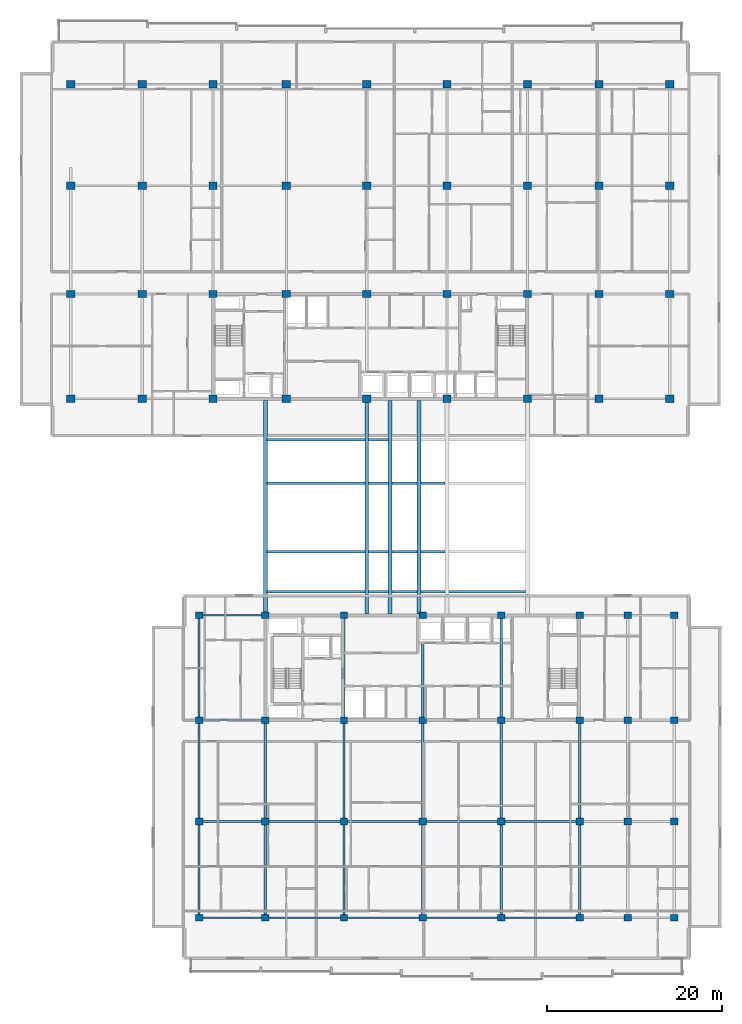
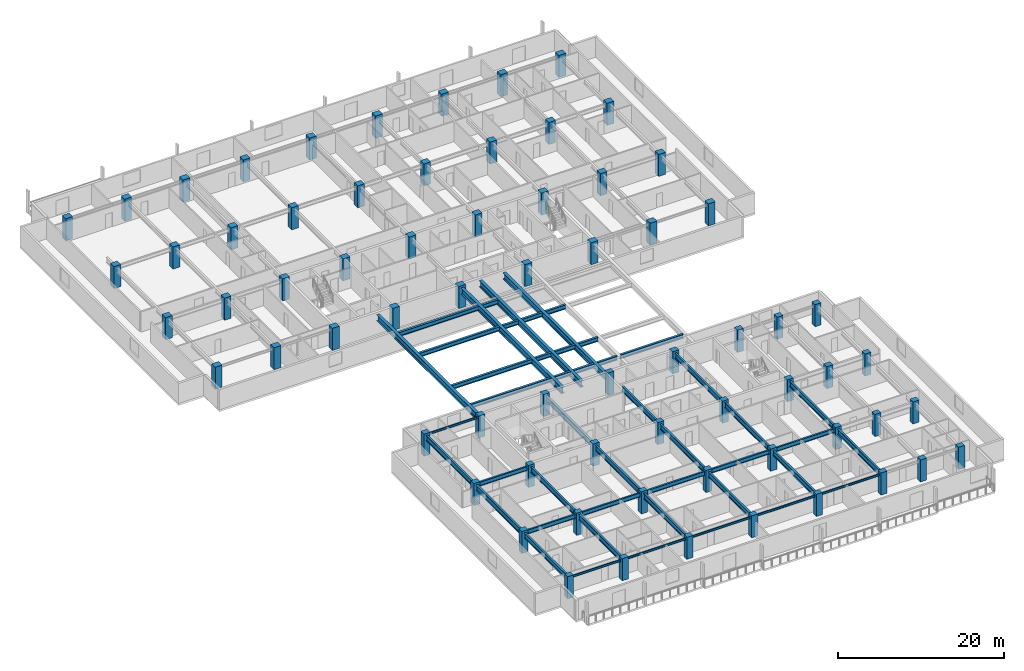
# One storey, part 1 of 21: 68 columns, 47 beams.
"""IFC4 building model written with IfcOpenShell, lengths in metres."""

from ifc_helpers import new_model, si_unit, direction, frame, origin, origin_2d, place, context, subcontext, project, spatial, rectangle, i_section, extrude, material, material_profile, profile_set, type_object, element, save


model = new_model("IFC4")

# Units and contexts
model_context = context("Model", 3, precision=1e-05, world=origin(), true_north=direction((0.0, 1.0)))
body_context = subcontext(model_context, "Body", "Model", "MODEL_VIEW")
ifc_project = project(units=[si_unit("LENGTHUNIT", "METRE"), si_unit("AREAUNIT", "SQUARE_METRE"), si_unit("VOLUMEUNIT", "CUBIC_METRE"), si_unit("PLANEANGLEUNIT", "RADIAN"), si_unit("MASSUNIT", "GRAM", prefix="KILO")], contexts=[model_context])

# Site, building, storey
site_placement = place(None, origin())
site = spatial("IfcSite", under=ifc_project, at=site_placement, CompositionType="ELEMENT")
building_placement = place(site_placement, origin())
building = spatial("IfcBuilding", under=site, at=building_placement, Name="Korimba Cascade Residences", CompositionType="ELEMENT")
storey_placement = place(building_placement, frame((0.0, 0.0, 136.050048828125)))
storey = spatial("IfcBuildingStorey", under=building, at=storey_placement, Name="L39", CompositionType="ELEMENT", Elevation=136.050048828125)

# Columns
ifc_material_1 = material(Name="Concrete C65/80", Category="concrete")
ifc_material_profile_1 = material_profile(ifc_material_1, rectangle(XDim=0.85009765625, YDim=0.75, at=origin_2d()), Name="Concrete C65/80")
ifc_profile_set_1 = profile_set([ifc_material_profile_1], Name="Concrete C65/80")
column_type_1 = type_object("IfcColumnType", Name="COL-RC-850", PredefinedType="COLUMN", material=ifc_profile_set_1)
for number, where, z_axis, x_axis, name in (
    (1, (74.5, -4.199951171875, 0.0), (0.0, 0.0, 1.0), (1.0, 0.0, 0.0), "L39 Tower 2 Column 1.1"),
    (2, (74.5, 6.800048828125, 0.0), (0.0, 0.0, 1.0), (1.0, 0.0, 0.0), "L39 Tower 2 Column 1.2"),
    (3, (74.5, 18.39990234375, 0.0), (0.0, 0.0, 1.0), (1.0, 0.0, 0.0), "L39 Tower 2 Column 1.3"),
    (4, (74.5, 30.39990234375, 0.0), (0.0, 0.0, 1.0), (1.0, 0.0, 0.0), "L39 Tower 2 Column 1.4"),
    (5, (82.10009765625, -4.199951171875, 0.0), (0.0, 0.0, 1.0), (1.0, 0.0, 0.0), "L39 Tower 2 Column 2.1"),
    (6, (82.10009765625, 6.800048828125, 0.0), (0.0, 0.0, 1.0), (1.0, 0.0, 0.0), "L39 Tower 2 Column 2.2"),
    (7, (82.10009765625, 18.39990234375, 0.0), (0.0, 0.0, 1.0), (1.0, 0.0, 0.0), "L39 Tower 2 Column 2.3"),
    (8, (82.10009765625, 30.39990234375, 0.0), (0.0, 0.0, 1.0), (1.0, 0.0, 0.0), "L39 Tower 2 Column 2.4"),
    (9, (91.10009765625, -4.199951171875, 0.0), (0.0, 0.0, 1.0), (1.0, 0.0, 0.0), "L39 Tower 2 Column 3.1"),
    (10, (91.10009765625, 6.800048828125, 0.0), (0.0, 0.0, 1.0), (1.0, 0.0, 0.0), "L39 Tower 2 Column 3.2"),
    (11, (91.10009765625, 18.39990234375, 0.0), (0.0, 0.0, 1.0), (1.0, 0.0, 0.0), "L39 Tower 2 Column 3.3"),
    (12, (91.10009765625, 30.39990234375, 0.0), (0.0, 0.0, 1.0), (1.0, 0.0, 0.0), "L39 Tower 2 Column 3.4"),
    (13, (100.10009765625, -4.199951171875, 0.0), (0.0, 0.0, 1.0), (1.0, 0.0, 0.0), "L39 Tower 2 Column 4.1"),
    (14, (100.10009765625, 6.800048828125, 0.0), (0.0, 0.0, 1.0), (1.0, 0.0, 0.0), "L39 Tower 2 Column 4.2"),
    (15, (100.10009765625, 18.39990234375, 0.0), (0.0, 0.0, 1.0), (1.0, 0.0, 0.0), "L39 Tower 2 Column 4.3"),
    (16, (100.10009765625, 30.39990234375, 0.0), (0.0, 0.0, 1.0), (1.0, 0.0, 0.0), "L39 Tower 2 Column 4.4"),
    (17, (109.10009765625, -4.199951171875, 0.0), (0.0, 0.0, 1.0), (1.0, 0.0, 0.0), "L39 Tower 2 Column 5.1"),
    (18, (109.10009765625, 6.800048828125, 0.0), (0.0, 0.0, 1.0), (1.0, 0.0, 0.0), "L39 Tower 2 Column 5.2"),
    (19, (109.10009765625, 18.39990234375, 0.0), (0.0, 0.0, 1.0), (1.0, 0.0, 0.0), "L39 Tower 2 Column 5.3"),
    (20, (109.10009765625, 30.39990234375, 0.0), (0.0, 0.0, 1.0), (1.0, 0.0, 0.0), "L39 Tower 2 Column 5.4"),
    (21, (118.10009765625, -4.199951171875, 0.0), (0.0, 0.0, 1.0), (1.0, 0.0, 0.0), "L39 Tower 2 Column 6.1"),
    (22, (118.10009765625, 6.800048828125, 0.0), (0.0, 0.0, 1.0), (1.0, 0.0, 0.0), "L39 Tower 2 Column 6.2"),
    (23, (118.10009765625, 18.39990234375, 0.0), (0.0, 0.0, 1.0), (1.0, 0.0, 0.0), "L39 Tower 2 Column 6.3"),
    (24, (118.10009765625, 30.39990234375, 0.0), (0.0, 0.0, 1.0), (1.0, 0.0, 0.0), "L39 Tower 2 Column 6.4"),
    (25, (123.60009765625, -4.199951171875, 0.0), (0.0, 0.0, 1.0), (1.0, 0.0, 0.0), "L39 Tower 2 Column 7.1"),
    (26, (123.60009765625, 6.800048828125, 0.0), (0.0, 0.0, 1.0), (1.0, 0.0, 0.0), "L39 Tower 2 Column 7.2"),
    (27, (123.60009765625, 18.39990234375, 0.0), (0.0, 0.0, 1.0), (1.0, 0.0, 0.0), "L39 Tower 2 Column 7.3"),
    (28, (123.60009765625, 30.39990234375, 0.0), (0.0, 0.0, 1.0), (1.0, 0.0, 0.0), "L39 Tower 2 Column 7.4"),
    (29, (128.89990234375, -4.199951171875, 0.0), (0.0, 0.0, 1.0), (1.0, 0.0, 0.0), "L39 Tower 2 Column 8.1"),
    (30, (128.89990234375, 6.800048828125, 0.0), (0.0, 0.0, 1.0), (1.0, 0.0, 0.0), "L39 Tower 2 Column 8.2"),
    (31, (128.89990234375, 18.39990234375, 0.0), (0.0, 0.0, 1.0), (1.0, 0.0, 0.0), "L39 Tower 2 Column 8.3"),
    (32, (128.89990234375, 30.39990234375, 0.0), (0.0, 0.0, 1.0), (1.0, 0.0, 0.0), "L39 Tower 2 Column 8.4"),
):
    element("IfcColumn", number, at=place(storey_placement, frame(where, z_axis=z_axis, x_axis=x_axis)), inside=storey, type_object=column_type_1, Name=name, PredefinedType="COLUMN", context=body_context, shape_type="SweptSolid", body=[
        extrude(rectangle(XDim=0.85009765625, YDim=0.75, at=origin_2d()), origin(), (0.0, 0.0, 1.0), 3.25),
    ])
ifc_material_profile_2 = material_profile(ifc_material_1, rectangle(XDim=0.949951171875, YDim=0.85009765625, at=origin_2d()), Name="Concrete C65/80")
ifc_profile_set_2 = profile_set([ifc_material_profile_2], Name="Concrete C65/80")
column_type_2 = type_object("IfcColumnType", Name="COL-RC-950", PredefinedType="COLUMN", material=ifc_profile_set_2)
for number, where, z_axis, x_axis, name in (
    (33, (59.800048828125, 55.199951171875, 0.0), (0.0, 0.0, 1.0), (1.0, 0.0, 0.0), "L39 Tower 1 Column 1.1"),
    (34, (59.800048828125, 67.199951171875, 0.0), (0.0, 0.0, 1.0), (1.0, 0.0, 0.0), "L39 Tower 1 Column 1.2"),
    (35, (59.800048828125, 79.60009765625, 0.0), (0.0, 0.0, 1.0), (1.0, 0.0, 0.0), "L39 Tower 1 Column 1.3"),
    (36, (59.800048828125, 91.199951171875, 0.0), (0.0, 0.0, 1.0), (1.0, 0.0, 0.0), "L39 Tower 1 Column 1.4"),
    (37, (68.0, 55.199951171875, 0.0), (0.0, 0.0, 1.0), (1.0, 0.0, 0.0), "L39 Tower 1 Column 2.1"),
    (38, (68.0, 67.199951171875, 0.0), (0.0, 0.0, 1.0), (1.0, 0.0, 0.0), "L39 Tower 1 Column 2.2"),
    (39, (68.0, 79.60009765625, 0.0), (0.0, 0.0, 1.0), (1.0, 0.0, 0.0), "L39 Tower 1 Column 2.3"),
    (40, (68.0, 91.199951171875, 0.0), (0.0, 0.0, 1.0), (1.0, 0.0, 0.0), "L39 Tower 1 Column 2.4"),
    (41, (76.10009765625, 55.199951171875, 0.0), (0.0, 0.0, 1.0), (1.0, 0.0, 0.0), "L39 Tower 1 Column 3.1"),
    (42, (76.10009765625, 67.199951171875, 0.0), (0.0, 0.0, 1.0), (1.0, 0.0, 0.0), "L39 Tower 1 Column 3.2"),
    (43, (76.10009765625, 79.60009765625, 0.0), (0.0, 0.0, 1.0), (1.0, 0.0, 0.0), "L39 Tower 1 Column 3.3"),
    (44, (76.10009765625, 91.199951171875, 0.0), (0.0, 0.0, 1.0), (1.0, 0.0, 0.0), "L39 Tower 1 Column 3.4"),
    (45, (84.5, 55.199951171875, 0.0), (0.0, 0.0, 1.0), (1.0, 0.0, 0.0), "L39 Tower 1 Column 4.1"),
    (46, (84.5, 67.199951171875, 0.0), (0.0, 0.0, 1.0), (1.0, 0.0, 0.0), "L39 Tower 1 Column 4.2"),
    (47, (84.5, 79.60009765625, 0.0), (0.0, 0.0, 1.0), (1.0, 0.0, 0.0), "L39 Tower 1 Column 4.3"),
    (48, (84.5, 91.199951171875, 0.0), (0.0, 0.0, 1.0), (1.0, 0.0, 0.0), "L39 Tower 1 Column 4.4"),
    (49, (93.699951171875, 55.199951171875, 0.0), (0.0, 0.0, 1.0), (1.0, 0.0, 0.0), "L39 Tower 1 Column 5.1"),
    (50, (93.699951171875, 67.199951171875, 0.0), (0.0, 0.0, 1.0), (1.0, 0.0, 0.0), "L39 Tower 1 Column 5.2"),
    (51, (93.699951171875, 79.60009765625, 0.0), (0.0, 0.0, 1.0), (1.0, 0.0, 0.0), "L39 Tower 1 Column 5.3"),
    (52, (93.699951171875, 91.199951171875, 0.0), (0.0, 0.0, 1.0), (1.0, 0.0, 0.0), "L39 Tower 1 Column 5.4"),
    (53, (102.89990234375, 55.199951171875, 0.0), (0.0, 0.0, 1.0), (1.0, 0.0, 0.0), "L39 Tower 1 Column 6.1"),
    (54, (102.89990234375, 67.199951171875, 0.0), (0.0, 0.0, 1.0), (1.0, 0.0, 0.0), "L39 Tower 1 Column 6.2"),
    (55, (102.89990234375, 79.60009765625, 0.0), (0.0, 0.0, 1.0), (1.0, 0.0, 0.0), "L39 Tower 1 Column 6.3"),
    (56, (102.89990234375, 91.199951171875, 0.0), (0.0, 0.0, 1.0), (1.0, 0.0, 0.0), "L39 Tower 1 Column 6.4"),
    (57, (112.10009765625, 55.199951171875, 0.0), (0.0, 0.0, 1.0), (1.0, 0.0, 0.0), "L39 Tower 1 Column 7.1"),
    (58, (112.10009765625, 67.199951171875, 0.0), (0.0, 0.0, 1.0), (1.0, 0.0, 0.0), "L39 Tower 1 Column 7.2"),
    (59, (112.10009765625, 79.60009765625, 0.0), (0.0, 0.0, 1.0), (1.0, 0.0, 0.0), "L39 Tower 1 Column 7.3"),
    (60, (112.10009765625, 91.199951171875, 0.0), (0.0, 0.0, 1.0), (1.0, 0.0, 0.0), "L39 Tower 1 Column 7.4"),
    (61, (120.300048828125, 55.199951171875, 0.0), (0.0, 0.0, 1.0), (1.0, 0.0, 0.0), "L39 Tower 1 Column 8.1"),
    (62, (120.300048828125, 67.199951171875, 0.0), (0.0, 0.0, 1.0), (1.0, 0.0, 0.0), "L39 Tower 1 Column 8.2"),
    (63, (120.300048828125, 79.60009765625, 0.0), (0.0, 0.0, 1.0), (1.0, 0.0, 0.0), "L39 Tower 1 Column 8.3"),
    (64, (120.300048828125, 91.199951171875, 0.0), (0.0, 0.0, 1.0), (1.0, 0.0, 0.0), "L39 Tower 1 Column 8.4"),
    (65, (128.39990234375, 55.199951171875, 0.0), (0.0, 0.0, 1.0), (1.0, 0.0, 0.0), "L39 Tower 1 Column 9.1"),
    (66, (128.39990234375, 67.199951171875, 0.0), (0.0, 0.0, 1.0), (1.0, 0.0, 0.0), "L39 Tower 1 Column 9.2"),
    (67, (128.39990234375, 79.60009765625, 0.0), (0.0, 0.0, 1.0), (1.0, 0.0, 0.0), "L39 Tower 1 Column 9.3"),
    (68, (128.39990234375, 91.199951171875, 0.0), (0.0, 0.0, 1.0), (1.0, 0.0, 0.0), "L39 Tower 1 Column 9.4"),
):
    element("IfcColumn", number, at=place(storey_placement, frame(where, z_axis=z_axis, x_axis=x_axis)), inside=storey, type_object=column_type_2, Name=name, PredefinedType="COLUMN", context=body_context, shape_type="SweptSolid", body=[
        extrude(rectangle(XDim=0.949951171875, YDim=0.85009765625, at=origin_2d()), origin(), (0.0, 0.0, 1.0), 3.25),
    ])

# Beams
ifc_material_2 = material(Name="Steel S355", Category="steel")
ifc_material_profile_3 = material_profile(ifc_material_2, i_section(OverallWidth=0.165771484375, OverallDepth=0.306640625, WebThickness=0.006591796875, FlangeThickness=0.01171875, FilletRadius=0.0087890625, at=origin_2d()), Name="Steel S355")
ifc_profile_set_3 = profile_set([ifc_material_profile_3], Name="Steel S355")
beam_type_1 = type_object("IfcBeamType", Name="BM-STL-UB305", PredefinedType="SPANDREL", material=ifc_profile_set_3)
beam_1_placement = place(storey_placement, frame((74.925048828125, -4.199951171875, 2.806640625), z_axis=(1.0, 0.0, 0.0), x_axis=(0.0, 1.0, 0.0)))
element("IfcBeam", 69, at=beam_1_placement, inside=storey, type_object=beam_type_1, Name="L39 T2 E-W Girder Y1 Bay 1", PredefinedType="SPANDREL", context=body_context, shape_type="SweptSolid", body=[
    extrude(i_section(OverallWidth=0.165771484375, OverallDepth=0.306640625, WebThickness=0.006591796875, FlangeThickness=0.01171875, FilletRadius=0.0087890625, at=origin_2d()), origin(), (0.0, 0.0, 1.0), 6.75),
])
for number, where, z_axis, x_axis, name in (
    (70, (82.52490234375, -4.199951171875, 2.806640625), (1.0, 0.0, 0.0), (0.0, 1.0, 0.0), "L39 T2 E-W Girder Y1 Bay 2"),
    (71, (91.52490234375, -4.199951171875, 2.806640625), (1.0, 0.0, 0.0), (0.0, 1.0, 0.0), "L39 T2 E-W Girder Y1 Bay 3"),
    (72, (100.52490234375, -4.199951171875, 2.806640625), (1.0, 0.0, 0.0), (0.0, 1.0, 0.0), "L39 T2 E-W Girder Y1 Bay 4"),
    (73, (109.52490234375, -4.199951171875, 2.806640625), (1.0, 0.0, 0.0), (0.0, 1.0, 0.0), "L39 T2 E-W Girder Y1 Bay 5"),
):
    element("IfcBeam", number, at=place(storey_placement, frame(where, z_axis=z_axis, x_axis=x_axis)), inside=storey, type_object=beam_type_1, Name=name, PredefinedType="SPANDREL", context=body_context, shape_type="SweptSolid", body=[
        extrude(i_section(OverallWidth=0.165771484375, OverallDepth=0.306640625, WebThickness=0.006591796875, FlangeThickness=0.01171875, FilletRadius=0.0087890625, at=origin_2d()), origin(), (0.0, 0.0, 1.0), 8.150146484375),
    ])
beam_2_placement = place(storey_placement, frame((74.925048828125, 30.39990234375, 2.806640625), z_axis=(1.0, 0.0, 0.0), x_axis=(0.0, 1.0, 0.0)))
element("IfcBeam", 74, at=beam_2_placement, inside=storey, type_object=beam_type_1, Name="L39 T2 E-W Girder Y4 Bay 1", PredefinedType="SPANDREL", context=body_context, shape_type="SweptSolid", body=[
    extrude(i_section(OverallWidth=0.165771484375, OverallDepth=0.306640625, WebThickness=0.006591796875, FlangeThickness=0.01171875, FilletRadius=0.0087890625, at=origin_2d()), origin(), (0.0, 0.0, 1.0), 6.75),
])
ifc_material_profile_4 = material_profile(ifc_material_2, i_section(OverallWidth=0.30712890625, OverallDepth=0.6201171875, WebThickness=0.01416015625, FlangeThickness=0.023681640625, FilletRadius=0.0166015625, at=origin_2d()), Name="Steel S355")
ifc_profile_set_4 = profile_set([ifc_material_profile_4], Name="Steel S355")
beam_type_2 = type_object("IfcBeamType", Name="BM-STL-UB610A", PredefinedType="BEAM", material=ifc_profile_set_4)
beam_3_placement = place(storey_placement, frame((82.30908203125, 33.10009765625, 2.64990234375), z_axis=(1.0, 0.0, 0.0), x_axis=(0.0, 1.0, 0.0)))
element("IfcBeam", 75, at=beam_3_placement, inside=storey, type_object=beam_type_2, Name="L39 Mid-Bridge Cross Beam 33.1", PredefinedType="BEAM", context=body_context, shape_type="SweptSolid", body=[
    extrude(i_section(OverallWidth=0.30712890625, OverallDepth=0.6201171875, WebThickness=0.01416015625, FlangeThickness=0.023681640625, FilletRadius=0.0166015625, at=origin_2d()), origin(), (0.0, 0.0, 1.0), 11.181884765625),
])
beam_4_placement = place(storey_placement, frame((93.908935546875, 33.10009765625, 2.64990234375), z_axis=(1.0, 0.0, 0.0), x_axis=(0.0, 1.0, 0.0)))
element("IfcBeam", 76, at=beam_4_placement, inside=storey, type_object=beam_type_2, Name="L39 Mid-Bridge Cross Beam 33.2", PredefinedType="BEAM", context=body_context, shape_type="SweptSolid", body=[
    extrude(i_section(OverallWidth=0.30712890625, OverallDepth=0.6201171875, WebThickness=0.01416015625, FlangeThickness=0.023681640625, FilletRadius=0.0166015625, at=origin_2d()), origin(), (0.0, 0.0, 1.0), 2.257080078125),
])
beam_5_placement = place(storey_placement, frame((96.583984375, 33.10009765625, 2.64990234375), z_axis=(1.0, 0.0, 0.0), x_axis=(0.0, 1.0, 0.0)))
element("IfcBeam", 77, at=beam_5_placement, inside=storey, type_object=beam_type_2, Name="L39 Mid-Bridge Cross Beam 33.3", PredefinedType="BEAM", context=body_context, shape_type="SweptSolid", body=[
    extrude(i_section(OverallWidth=0.30712890625, OverallDepth=0.6201171875, WebThickness=0.01416015625, FlangeThickness=0.023681640625, FilletRadius=0.0166015625, at=origin_2d()), origin(), (0.0, 0.0, 1.0), 2.89208984375),
])
beam_6_placement = place(storey_placement, frame((99.89404296875, 33.10009765625, 2.64990234375), z_axis=(1.0, 0.0, 0.0), x_axis=(0.0, 1.0, 0.0)))
element("IfcBeam", 78, at=beam_6_placement, inside=storey, type_object=beam_type_2, Name="L39 Mid-Bridge Cross Beam 33.4", PredefinedType="BEAM", context=body_context, shape_type="SweptSolid", body=[
    extrude(i_section(OverallWidth=0.30712890625, OverallDepth=0.6201171875, WebThickness=0.01416015625, FlangeThickness=0.023681640625, FilletRadius=0.0166015625, at=origin_2d()), origin(), (0.0, 0.0, 1.0), 2.796875),
])
beam_7_placement = place(storey_placement, frame((103.10888671875, 33.10009765625, 2.64990234375), z_axis=(1.0, 0.0, 0.0), x_axis=(0.0, 1.0, 0.0)))
element("IfcBeam", 79, at=beam_7_placement, inside=storey, type_object=beam_type_2, Name="L39 Mid-Bridge Cross Beam 33.5", PredefinedType="BEAM", context=body_context, shape_type="SweptSolid", body=[
    extrude(i_section(OverallWidth=0.30712890625, OverallDepth=0.6201171875, WebThickness=0.01416015625, FlangeThickness=0.023681640625, FilletRadius=0.0166015625, at=origin_2d()), origin(), (0.0, 0.0, 1.0), 8.7822265625),
])
beam_8_placement = place(storey_placement, frame((82.30908203125, 37.675048828125, 2.64990234375), z_axis=(1.0, 0.0, 0.0), x_axis=(0.0, 1.0, 0.0)))
element("IfcBeam", 80, at=beam_8_placement, inside=storey, type_object=beam_type_2, Name="L39 Mid-Bridge Cross Beam 37.1", PredefinedType="BEAM", context=body_context, shape_type="SweptSolid", body=[
    extrude(i_section(OverallWidth=0.30712890625, OverallDepth=0.6201171875, WebThickness=0.01416015625, FlangeThickness=0.023681640625, FilletRadius=0.0166015625, at=origin_2d()), origin(), (0.0, 0.0, 1.0), 11.181884765625),
])
beam_9_placement = place(storey_placement, frame((93.908935546875, 37.675048828125, 2.64990234375), z_axis=(1.0, 0.0, 0.0), x_axis=(0.0, 1.0, 0.0)))
element("IfcBeam", 81, at=beam_9_placement, inside=storey, type_object=beam_type_2, Name="L39 Mid-Bridge Cross Beam 37.2", PredefinedType="BEAM", context=body_context, shape_type="SweptSolid", body=[
    extrude(i_section(OverallWidth=0.30712890625, OverallDepth=0.6201171875, WebThickness=0.01416015625, FlangeThickness=0.023681640625, FilletRadius=0.0166015625, at=origin_2d()), origin(), (0.0, 0.0, 1.0), 2.257080078125),
])
beam_10_placement = place(storey_placement, frame((96.583984375, 37.675048828125, 2.64990234375), z_axis=(1.0, 0.0, 0.0), x_axis=(0.0, 1.0, 0.0)))
element("IfcBeam", 82, at=beam_10_placement, inside=storey, type_object=beam_type_2, Name="L39 Mid-Bridge Cross Beam 37.3", PredefinedType="BEAM", context=body_context, shape_type="SweptSolid", body=[
    extrude(i_section(OverallWidth=0.30712890625, OverallDepth=0.6201171875, WebThickness=0.01416015625, FlangeThickness=0.023681640625, FilletRadius=0.0166015625, at=origin_2d()), origin(), (0.0, 0.0, 1.0), 2.89208984375),
])
beam_11_placement = place(storey_placement, frame((99.89404296875, 37.675048828125, 2.64990234375), z_axis=(1.0, 0.0, 0.0), x_axis=(0.0, 1.0, 0.0)))
element("IfcBeam", 83, at=beam_11_placement, inside=storey, type_object=beam_type_2, Name="L39 Mid-Bridge Cross Beam 37.4", PredefinedType="BEAM", context=body_context, shape_type="SweptSolid", body=[
    extrude(i_section(OverallWidth=0.30712890625, OverallDepth=0.6201171875, WebThickness=0.01416015625, FlangeThickness=0.023681640625, FilletRadius=0.0166015625, at=origin_2d()), origin(), (0.0, 0.0, 1.0), 2.796875),
])
beam_12_placement = place(storey_placement, frame((82.30908203125, 45.52490234375, 2.64990234375), z_axis=(1.0, 0.0, 0.0), x_axis=(0.0, 1.0, 0.0)))
element("IfcBeam", 84, at=beam_12_placement, inside=storey, type_object=beam_type_2, Name="L39 Mid-Bridge Cross Beam 45.1", PredefinedType="BEAM", context=body_context, shape_type="SweptSolid", body=[
    extrude(i_section(OverallWidth=0.30712890625, OverallDepth=0.6201171875, WebThickness=0.01416015625, FlangeThickness=0.023681640625, FilletRadius=0.0166015625, at=origin_2d()), origin(), (0.0, 0.0, 1.0), 11.181884765625),
])
beam_13_placement = place(storey_placement, frame((93.908935546875, 45.52490234375, 2.64990234375), z_axis=(1.0, 0.0, 0.0), x_axis=(0.0, 1.0, 0.0)))
element("IfcBeam", 85, at=beam_13_placement, inside=storey, type_object=beam_type_2, Name="L39 Mid-Bridge Cross Beam 45.2", PredefinedType="BEAM", context=body_context, shape_type="SweptSolid", body=[
    extrude(i_section(OverallWidth=0.30712890625, OverallDepth=0.6201171875, WebThickness=0.01416015625, FlangeThickness=0.023681640625, FilletRadius=0.0166015625, at=origin_2d()), origin(), (0.0, 0.0, 1.0), 2.257080078125),
])
beam_14_placement = place(storey_placement, frame((96.583984375, 45.52490234375, 2.64990234375), z_axis=(1.0, 0.0, 0.0), x_axis=(0.0, 1.0, 0.0)))
element("IfcBeam", 86, at=beam_14_placement, inside=storey, type_object=beam_type_2, Name="L39 Mid-Bridge Cross Beam 45.3", PredefinedType="BEAM", context=body_context, shape_type="SweptSolid", body=[
    extrude(i_section(OverallWidth=0.30712890625, OverallDepth=0.6201171875, WebThickness=0.01416015625, FlangeThickness=0.023681640625, FilletRadius=0.0166015625, at=origin_2d()), origin(), (0.0, 0.0, 1.0), 2.89208984375),
])
beam_15_placement = place(storey_placement, frame((99.89404296875, 45.52490234375, 2.64990234375), z_axis=(1.0, 0.0, 0.0), x_axis=(0.0, 1.0, 0.0)))
element("IfcBeam", 87, at=beam_15_placement, inside=storey, type_object=beam_type_2, Name="L39 Mid-Bridge Cross Beam 45.4", PredefinedType="BEAM", context=body_context, shape_type="SweptSolid", body=[
    extrude(i_section(OverallWidth=0.30712890625, OverallDepth=0.6201171875, WebThickness=0.01416015625, FlangeThickness=0.023681640625, FilletRadius=0.0166015625, at=origin_2d()), origin(), (0.0, 0.0, 1.0), 2.796875),
])
beam_16_placement = place(storey_placement, frame((82.30908203125, 50.5, 2.64990234375), z_axis=(1.0, 0.0, 0.0), x_axis=(0.0, 1.0, 0.0)))
element("IfcBeam", 88, at=beam_16_placement, inside=storey, type_object=beam_type_2, Name="L39 Mid-Bridge Cross Beam 50.1", PredefinedType="BEAM", context=body_context, shape_type="SweptSolid", body=[
    extrude(i_section(OverallWidth=0.30712890625, OverallDepth=0.6201171875, WebThickness=0.01416015625, FlangeThickness=0.023681640625, FilletRadius=0.0166015625, at=origin_2d()), origin(), (0.0, 0.0, 1.0), 11.181884765625),
])
beam_17_placement = place(storey_placement, frame((93.908935546875, 50.5, 2.64990234375), z_axis=(1.0, 0.0, 0.0), x_axis=(0.0, 1.0, 0.0)))
element("IfcBeam", 89, at=beam_17_placement, inside=storey, type_object=beam_type_2, Name="L39 Mid-Bridge Cross Beam 50.2", PredefinedType="BEAM", context=body_context, shape_type="SweptSolid", body=[
    extrude(i_section(OverallWidth=0.30712890625, OverallDepth=0.6201171875, WebThickness=0.01416015625, FlangeThickness=0.023681640625, FilletRadius=0.0166015625, at=origin_2d()), origin(), (0.0, 0.0, 1.0), 2.257080078125),
])
ifc_material_profile_5 = material_profile(ifc_material_2, i_section(OverallWidth=0.22900390625, OverallDepth=0.6123046875, WebThickness=0.011962890625, FlangeThickness=0.01953125, FilletRadius=0.0126953125, at=origin_2d()), Name="Steel S355")
ifc_profile_set_5 = profile_set([ifc_material_profile_5], Name="Steel S355")
beam_type_3 = type_object("IfcBeamType", Name="BM-STL-UB610B", PredefinedType="BEAM", material=ifc_profile_set_5)
beam_18_placement = place(storey_placement, frame((74.925048828125, 6.800048828125, 2.65380859375), z_axis=(1.0, 0.0, 0.0), x_axis=(0.0, 1.0, 0.0)))
element("IfcBeam", 90, at=beam_18_placement, inside=storey, type_object=beam_type_3, Name="L39 T2 E-W Girder Y2 Bay 1", PredefinedType="BEAM", context=body_context, shape_type="SweptSolid", body=[
    extrude(i_section(OverallWidth=0.22900390625, OverallDepth=0.6123046875, WebThickness=0.011962890625, FlangeThickness=0.01953125, FilletRadius=0.0126953125, at=origin_2d()), origin(), (0.0, 0.0, 1.0), 6.75),
])
for number, where, z_axis, x_axis, name in (
    (91, (82.52490234375, 6.800048828125, 2.65380859375), (1.0, 0.0, 0.0), (0.0, 1.0, 0.0), "L39 T2 E-W Girder Y2 Bay 2"),
    (92, (91.52490234375, 6.800048828125, 2.65380859375), (1.0, 0.0, 0.0), (0.0, 1.0, 0.0), "L39 T2 E-W Girder Y2 Bay 3"),
    (93, (100.52490234375, 6.800048828125, 2.65380859375), (1.0, 0.0, 0.0), (0.0, 1.0, 0.0), "L39 T2 E-W Girder Y2 Bay 4"),
    (94, (109.52490234375, 6.800048828125, 2.65380859375), (1.0, 0.0, 0.0), (0.0, 1.0, 0.0), "L39 T2 E-W Girder Y2 Bay 5"),
):
    element("IfcBeam", number, at=place(storey_placement, frame(where, z_axis=z_axis, x_axis=x_axis)), inside=storey, type_object=beam_type_3, Name=name, PredefinedType="BEAM", context=body_context, shape_type="SweptSolid", body=[
        extrude(i_section(OverallWidth=0.22900390625, OverallDepth=0.6123046875, WebThickness=0.011962890625, FlangeThickness=0.01953125, FilletRadius=0.0126953125, at=origin_2d()), origin(), (0.0, 0.0, 1.0), 8.150146484375),
    ])
beam_19_placement = place(storey_placement, frame((74.925048828125, 18.39990234375, 2.65380859375), z_axis=(1.0, 0.0, 0.0), x_axis=(0.0, 1.0, 0.0)))
element("IfcBeam", 95, at=beam_19_placement, inside=storey, type_object=beam_type_3, Name="L39 T2 E-W Girder Y3 Bay 1", PredefinedType="BEAM", context=body_context, shape_type="SweptSolid", body=[
    extrude(i_section(OverallWidth=0.22900390625, OverallDepth=0.6123046875, WebThickness=0.011962890625, FlangeThickness=0.01953125, FilletRadius=0.0126953125, at=origin_2d()), origin(), (0.0, 0.0, 1.0), 6.75),
])
ifc_material_profile_6 = material_profile(ifc_material_2, i_section(OverallWidth=0.26806640625, OverallDepth=0.769775390625, WebThickness=0.015625, FlangeThickness=0.025390625, FilletRadius=0.0166015625, at=origin_2d()), Name="Steel S355")
ifc_profile_set_6 = profile_set([ifc_material_profile_6], Name="Steel S355")
beam_type_4 = type_object("IfcBeamType", Name="BM-STL-UB762", PredefinedType="BEAM", material=ifc_profile_set_6)
beam_20_placement = place(storey_placement, frame((74.5, -3.824951171875, 2.574951171875), z_axis=(0.0, 1.0, 0.0), x_axis=(-1.0, 0.0, 0.0)))
element("IfcBeam", 96, at=beam_20_placement, inside=storey, type_object=beam_type_4, Name="L39 T2 N-S Girder X1 Seg 1", PredefinedType="BEAM", context=body_context, shape_type="SweptSolid", body=[
    extrude(i_section(OverallWidth=0.26806640625, OverallDepth=0.769775390625, WebThickness=0.015625, FlangeThickness=0.025390625, FilletRadius=0.0166015625, at=origin_2d()), origin(), (0.0, 0.0, 1.0), 10.25),
])
beam_21_placement = place(storey_placement, frame((74.5, 7.175048828125, 2.574951171875), z_axis=(0.0, 1.0, 0.0), x_axis=(-1.0, 0.0, 0.0)))
element("IfcBeam", 97, at=beam_21_placement, inside=storey, type_object=beam_type_4, Name="L39 T2 N-S Girder X1 Seg 2", PredefinedType="BEAM", context=body_context, shape_type="SweptSolid", body=[
    extrude(i_section(OverallWidth=0.26806640625, OverallDepth=0.769775390625, WebThickness=0.015625, FlangeThickness=0.025390625, FilletRadius=0.0166015625, at=origin_2d()), origin(), (0.0, 0.0, 1.0), 10.849853515625),
])
beam_22_placement = place(storey_placement, frame((74.5, 18.77490234375, 2.574951171875), z_axis=(0.0, 1.0, 0.0), x_axis=(-1.0, 0.0, 0.0)))
element("IfcBeam", 98, at=beam_22_placement, inside=storey, type_object=beam_type_4, Name="L39 T2 N-S Girder X1 Seg 3", PredefinedType="BEAM", context=body_context, shape_type="SweptSolid", body=[
    extrude(i_section(OverallWidth=0.26806640625, OverallDepth=0.769775390625, WebThickness=0.015625, FlangeThickness=0.025390625, FilletRadius=0.0166015625, at=origin_2d()), origin(), (0.0, 0.0, 1.0), 11.25),
])
beam_23_placement = place(storey_placement, frame((82.10009765625, -3.824951171875, 2.574951171875), z_axis=(0.0, 1.0, 0.0), x_axis=(-1.0, 0.0, 0.0)))
element("IfcBeam", 99, at=beam_23_placement, inside=storey, type_object=beam_type_4, Name="L39 T2 N-S Girder X2 Seg 1", PredefinedType="BEAM", context=body_context, shape_type="SweptSolid", body=[
    extrude(i_section(OverallWidth=0.26806640625, OverallDepth=0.769775390625, WebThickness=0.015625, FlangeThickness=0.025390625, FilletRadius=0.0166015625, at=origin_2d()), origin(), (0.0, 0.0, 1.0), 10.25),
])
beam_24_placement = place(storey_placement, frame((82.10009765625, 7.175048828125, 2.574951171875), z_axis=(0.0, 1.0, 0.0), x_axis=(-1.0, 0.0, 0.0)))
element("IfcBeam", 100, at=beam_24_placement, inside=storey, type_object=beam_type_4, Name="L39 T2 N-S Girder X2 Seg 2", PredefinedType="BEAM", context=body_context, shape_type="SweptSolid", body=[
    extrude(i_section(OverallWidth=0.26806640625, OverallDepth=0.769775390625, WebThickness=0.015625, FlangeThickness=0.025390625, FilletRadius=0.0166015625, at=origin_2d()), origin(), (0.0, 0.0, 1.0), 10.849853515625),
])
beam_25_placement = place(storey_placement, frame((91.10009765625, -3.824951171875, 2.574951171875), z_axis=(0.0, 1.0, 0.0), x_axis=(-1.0, 0.0, 0.0)))
element("IfcBeam", 101, at=beam_25_placement, inside=storey, type_object=beam_type_4, Name="L39 T2 N-S Girder X3 Seg 1", PredefinedType="BEAM", context=body_context, shape_type="SweptSolid", body=[
    extrude(i_section(OverallWidth=0.26806640625, OverallDepth=0.769775390625, WebThickness=0.015625, FlangeThickness=0.025390625, FilletRadius=0.0166015625, at=origin_2d()), origin(), (0.0, 0.0, 1.0), 10.25),
])
beam_26_placement = place(storey_placement, frame((91.10009765625, 7.175048828125, 2.574951171875), z_axis=(0.0, 1.0, 0.0), x_axis=(-1.0, 0.0, 0.0)))
element("IfcBeam", 102, at=beam_26_placement, inside=storey, type_object=beam_type_4, Name="L39 T2 N-S Girder X3 Seg 2", PredefinedType="BEAM", context=body_context, shape_type="SweptSolid", body=[
    extrude(i_section(OverallWidth=0.26806640625, OverallDepth=0.769775390625, WebThickness=0.015625, FlangeThickness=0.025390625, FilletRadius=0.0166015625, at=origin_2d()), origin(), (0.0, 0.0, 1.0), 10.849853515625),
])
beam_27_placement = place(storey_placement, frame((91.10009765625, 18.77490234375, 2.574951171875), z_axis=(0.0, 1.0, 0.0), x_axis=(-1.0, 0.0, 0.0)))
element("IfcBeam", 103, at=beam_27_placement, inside=storey, type_object=beam_type_4, Name="L39 T2 N-S Girder X3 Seg 3", PredefinedType="BEAM", context=body_context, shape_type="SweptSolid", body=[
    extrude(i_section(OverallWidth=0.26806640625, OverallDepth=0.769775390625, WebThickness=0.015625, FlangeThickness=0.025390625, FilletRadius=0.0166015625, at=origin_2d()), origin(), (0.0, 0.0, 1.0), 11.25),
])
beam_28_placement = place(storey_placement, frame((100.10009765625, -3.824951171875, 2.574951171875), z_axis=(0.0, 1.0, 0.0), x_axis=(-1.0, 0.0, 0.0)))
element("IfcBeam", 104, at=beam_28_placement, inside=storey, type_object=beam_type_4, Name="L39 T2 N-S Girder X4 Seg 1", PredefinedType="BEAM", context=body_context, shape_type="SweptSolid", body=[
    extrude(i_section(OverallWidth=0.26806640625, OverallDepth=0.769775390625, WebThickness=0.015625, FlangeThickness=0.025390625, FilletRadius=0.0166015625, at=origin_2d()), origin(), (0.0, 0.0, 1.0), 10.25),
])
beam_29_placement = place(storey_placement, frame((100.10009765625, 7.175048828125, 2.574951171875), z_axis=(0.0, 1.0, 0.0), x_axis=(-1.0, 0.0, 0.0)))
element("IfcBeam", 105, at=beam_29_placement, inside=storey, type_object=beam_type_4, Name="L39 T2 N-S Girder X4 Seg 2", PredefinedType="BEAM", context=body_context, shape_type="SweptSolid", body=[
    extrude(i_section(OverallWidth=0.26806640625, OverallDepth=0.769775390625, WebThickness=0.015625, FlangeThickness=0.025390625, FilletRadius=0.0166015625, at=origin_2d()), origin(), (0.0, 0.0, 1.0), 10.849853515625),
])
beam_30_placement = place(storey_placement, frame((100.10009765625, 18.77490234375, 2.574951171875), z_axis=(0.0, 1.0, 0.0), x_axis=(-1.0, 0.0, 0.0)))
element("IfcBeam", 106, at=beam_30_placement, inside=storey, type_object=beam_type_4, Name="L39 T2 N-S Girder X4 Seg 3", PredefinedType="BEAM", context=body_context, shape_type="SweptSolid", body=[
    extrude(i_section(OverallWidth=0.26806640625, OverallDepth=0.769775390625, WebThickness=0.015625, FlangeThickness=0.025390625, FilletRadius=0.0166015625, at=origin_2d()), origin(), (0.0, 0.0, 1.0), 8.565185546875),
])
beam_31_placement = place(storey_placement, frame((109.10009765625, -3.824951171875, 2.574951171875), z_axis=(0.0, 1.0, 0.0), x_axis=(-1.0, 0.0, 0.0)))
element("IfcBeam", 107, at=beam_31_placement, inside=storey, type_object=beam_type_4, Name="L39 T2 N-S Girder X5 Seg 1", PredefinedType="BEAM", context=body_context, shape_type="SweptSolid", body=[
    extrude(i_section(OverallWidth=0.26806640625, OverallDepth=0.769775390625, WebThickness=0.015625, FlangeThickness=0.025390625, FilletRadius=0.0166015625, at=origin_2d()), origin(), (0.0, 0.0, 1.0), 10.25),
])
beam_32_placement = place(storey_placement, frame((109.10009765625, 7.175048828125, 2.574951171875), z_axis=(0.0, 1.0, 0.0), x_axis=(-1.0, 0.0, 0.0)))
element("IfcBeam", 108, at=beam_32_placement, inside=storey, type_object=beam_type_4, Name="L39 T2 N-S Girder X5 Seg 2", PredefinedType="BEAM", context=body_context, shape_type="SweptSolid", body=[
    extrude(i_section(OverallWidth=0.26806640625, OverallDepth=0.769775390625, WebThickness=0.015625, FlangeThickness=0.025390625, FilletRadius=0.0166015625, at=origin_2d()), origin(), (0.0, 0.0, 1.0), 10.849853515625),
])
beam_33_placement = place(storey_placement, frame((109.10009765625, 18.77490234375, 2.574951171875), z_axis=(0.0, 1.0, 0.0), x_axis=(-1.0, 0.0, 0.0)))
element("IfcBeam", 109, at=beam_33_placement, inside=storey, type_object=beam_type_4, Name="L39 T2 N-S Girder X5 Seg 3", PredefinedType="BEAM", context=body_context, shape_type="SweptSolid", body=[
    extrude(i_section(OverallWidth=0.26806640625, OverallDepth=0.769775390625, WebThickness=0.015625, FlangeThickness=0.025390625, FilletRadius=0.0166015625, at=origin_2d()), origin(), (0.0, 0.0, 1.0), 11.25),
])
beam_34_placement = place(storey_placement, frame((118.10009765625, -3.824951171875, 2.574951171875), z_axis=(0.0, 1.0, 0.0), x_axis=(-1.0, 0.0, 0.0)))
element("IfcBeam", 110, at=beam_34_placement, inside=storey, type_object=beam_type_4, Name="L39 T2 N-S Girder X6 Seg 1", PredefinedType="BEAM", context=body_context, shape_type="SweptSolid", body=[
    extrude(i_section(OverallWidth=0.26806640625, OverallDepth=0.769775390625, WebThickness=0.015625, FlangeThickness=0.025390625, FilletRadius=0.0166015625, at=origin_2d()), origin(), (0.0, 0.0, 1.0), 10.25),
])
beam_35_placement = place(storey_placement, frame((118.10009765625, 7.175048828125, 2.574951171875), z_axis=(0.0, 1.0, 0.0), x_axis=(-1.0, 0.0, 0.0)))
element("IfcBeam", 111, at=beam_35_placement, inside=storey, type_object=beam_type_4, Name="L39 T2 N-S Girder X6 Seg 2", PredefinedType="BEAM", context=body_context, shape_type="SweptSolid", body=[
    extrude(i_section(OverallWidth=0.26806640625, OverallDepth=0.769775390625, WebThickness=0.015625, FlangeThickness=0.025390625, FilletRadius=0.0166015625, at=origin_2d()), origin(), (0.0, 0.0, 1.0), 10.849853515625),
])
ifc_material_3 = material(Name="Steel S460", Category="steel")
ifc_material_profile_7 = material_profile(ifc_material_3, i_section(OverallWidth=0.42041015625, OverallDepth=0.9208984375, WebThickness=0.021484375, FlangeThickness=0.03662109375, FilletRadius=0.02392578125, at=origin_2d()), Name="Steel S460")
ifc_profile_set_7 = profile_set([ifc_material_profile_7], Name="Steel S460")
beam_type_5 = type_object("IfcBeamType", Name="BM-STL-UB914A", PredefinedType="BEAM", material=ifc_profile_set_7)
for number, where, z_axis, x_axis, name in (
    (112, (82.10009765625, 30.574951171875, 2.49951171875), (0.0, 1.0, 0.0), (-1.0, 0.0, 0.0), "L39 Rigid Mid-Bridge Truss Chord 1"),
    (113, (93.699951171875, 30.574951171875, 2.49951171875), (0.0, 1.0, 0.0), (-1.0, 0.0, 0.0), "L39 Rigid Mid-Bridge Truss Chord 2"),
    (114, (96.375, 30.574951171875, 2.49951171875), (0.0, 1.0, 0.0), (-1.0, 0.0, 0.0), "L39 Rigid Mid-Bridge Truss Chord 3"),
    (115, (99.68505859375, 30.574951171875, 2.49951171875), (0.0, 1.0, 0.0), (-1.0, 0.0, 0.0), "L39 Rigid Mid-Bridge Truss Chord 4"),
):
    element("IfcBeam", number, at=place(storey_placement, frame(where, z_axis=z_axis, x_axis=x_axis)), inside=storey, type_object=beam_type_5, Name=name, PredefinedType="BEAM", context=body_context, shape_type="SweptSolid", body=[
        extrude(i_section(OverallWidth=0.42041015625, OverallDepth=0.9208984375, WebThickness=0.021484375, FlangeThickness=0.03662109375, FilletRadius=0.02392578125, at=origin_2d()), origin(), (0.0, 0.0, 1.0), 24.449951171875),
    ])

save(model, "model.ifc")
